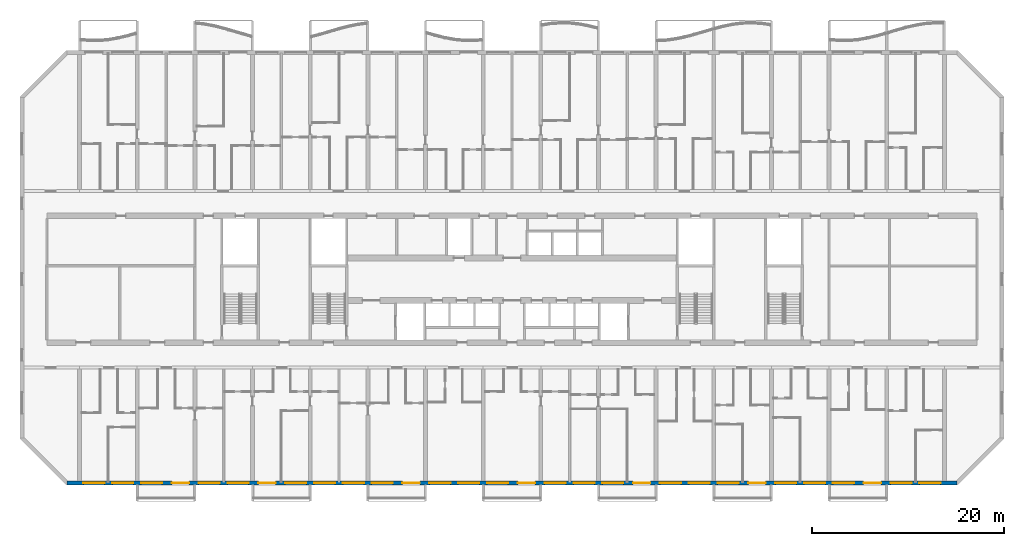
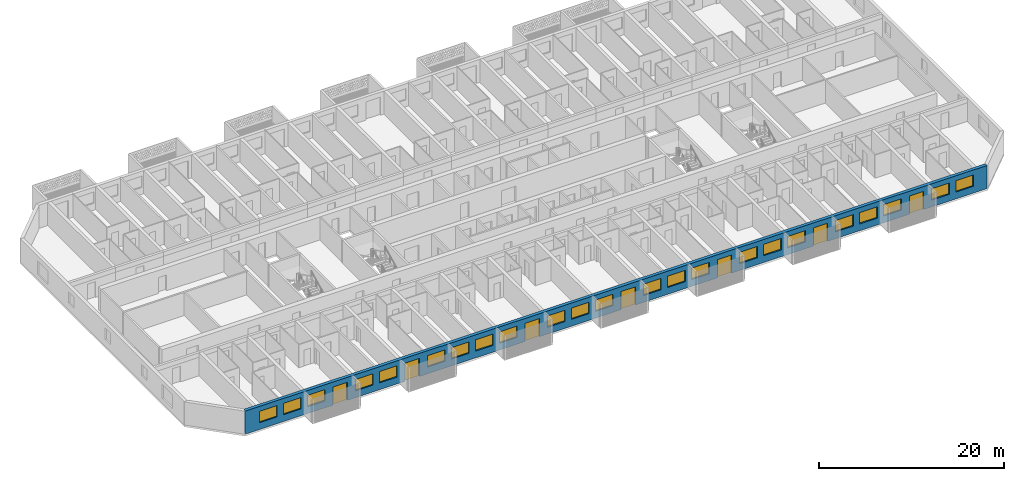
# One storey, part 5 of 38: 23 windows, 7 doors, 1 wall, 30 openings.
"""IFC4 building model written with IfcOpenShell, lengths in metres."""

from ifc_helpers import new_model, si_unit, direction, frame, frame_2d, origin, place, context, subcontext, project, spatial, rectangle, extrude, material, layer, layer_set, type_object, element, fill, save


model = new_model("IFC4")

# Units and contexts
model_context = context("Model", 3, precision=1e-05, world=origin(), true_north=direction((0.0, 1.0)))
body_context = subcontext(model_context, "Body", "Model", "MODEL_VIEW")
ifc_project = project(units=[si_unit("LENGTHUNIT", "METRE"), si_unit("AREAUNIT", "SQUARE_METRE"), si_unit("VOLUMEUNIT", "CUBIC_METRE"), si_unit("PLANEANGLEUNIT", "RADIAN"), si_unit("MASSUNIT", "GRAM", prefix="KILO")], contexts=[model_context])

# Site, building, storey
site_placement = place(None, origin())
site = spatial("IfcSite", under=ifc_project, at=site_placement, CompositionType="ELEMENT")
building_placement = place(site_placement, origin())
building = spatial("IfcBuilding", under=site, at=building_placement, Name="Poui Terraces", CompositionType="ELEMENT")
storey_placement = place(building_placement, frame((0.0, 0.0, 46.5)))
storey = spatial("IfcBuildingStorey", under=building, at=storey_placement, Name="L12", CompositionType="ELEMENT", Elevation=46.5)

# Wall, openings, doors, windows
ifc_material_1 = material(Name="Precast concrete 40 MPa", Category="concrete")
ifc_layer = layer(ifc_material_1, 0.39990234375)
ifc_layer_set = layer_set([ifc_layer], Name="Precast concrete 40 MPa")
wall_type = type_object("IfcWallType", Name="EXTERNAL WALL 400", PredefinedType="STANDARD", material=ifc_layer_set)
wall_placement = place(storey_placement, frame((4.682861328125, 0.0, 0.0), z_axis=(0.0, 0.0, 1.0), x_axis=(1.0, 0.0, 0.0)))
wall = element("IfcWall", 1, at=wall_placement, inside=storey, type_object=wall_type, Name="EXTERNAL WALL S", PredefinedType="STANDARD", context=body_context, shape_type="SweptSolid", body=[
    extrude(rectangle(XDim=92.63427734375, YDim=0.39990234375, at=frame_2d((46.317138671875, 0.0))), origin(), (0.0, 0.0, 1.0), 3.050048828125),
])
opening_1_placement = place(wall_placement, frame((1.71728515625, 0.0, 0.89990234375)))
opening_1 = element("IfcOpeningElement", 2, at=opening_1_placement, cuts=wall, Name="Opening W1", PredefinedType="OPENING", context=body_context, shape_type="SweptSolid", body=[
    extrude(rectangle(XDim=2.199951171875, YDim=1.5, at=frame_2d((1.10009765625, 0.75))), frame((0.0, 0.2099609375, 0.0), z_axis=(0.0, -1.0, 0.0), x_axis=(1.0, 0.0, 0.0)), (0.0, 0.0, 1.0), 0.419921875),
])
opening_2_placement = place(wall_placement, frame((4.71728515625, 0.0, 0.89990234375)))
opening_2 = element("IfcOpeningElement", 3, at=opening_2_placement, cuts=wall, Name="Opening W1", PredefinedType="OPENING", context=body_context, shape_type="SweptSolid", body=[
    extrude(rectangle(XDim=2.199951171875, YDim=1.5, at=frame_2d((1.10009765625, 0.75))), frame((0.0, 0.2099609375, 0.0), z_axis=(0.0, -1.0, 0.0), x_axis=(1.0, 0.0, 0.0)), (0.0, 0.0, 1.0), 0.419921875),
])
opening_3_placement = place(wall_placement, frame((7.71728515625, 0.0, 0.89990234375)))
opening_3 = element("IfcOpeningElement", 4, at=opening_3_placement, cuts=wall, Name="Opening W1", PredefinedType="OPENING", context=body_context, shape_type="SweptSolid", body=[
    extrude(rectangle(XDim=2.199951171875, YDim=1.5, at=frame_2d((1.10009765625, 0.75))), frame((0.0, 0.2099609375, 0.0), z_axis=(0.0, -1.0, 0.0), x_axis=(1.0, 0.0, 0.0)), (0.0, 0.0, 1.0), 0.419921875),
])
opening_4_placement = place(wall_placement, frame((10.917236328125, 0.0, 0.0)))
opening_4 = element("IfcOpeningElement", 5, at=opening_4_placement, cuts=wall, Name="Opening BD1", PredefinedType="OPENING", context=body_context, shape_type="SweptSolid", body=[
    extrude(rectangle(XDim=1.800048828125, YDim=2.39990234375, at=frame_2d((0.89990234375, 1.199951171875))), frame((0.0, 0.2099609375, 0.0), z_axis=(0.0, -1.0, 0.0), x_axis=(1.0, 0.0, 0.0)), (0.0, 0.0, 1.0), 0.419921875),
])
opening_5_placement = place(wall_placement, frame((13.71728515625, 0.0, 0.89990234375)))
opening_5 = element("IfcOpeningElement", 6, at=opening_5_placement, cuts=wall, Name="Opening W1", PredefinedType="OPENING", context=body_context, shape_type="SweptSolid", body=[
    extrude(rectangle(XDim=2.199951171875, YDim=1.5, at=frame_2d((1.10009765625, 0.75))), frame((0.0, 0.2099609375, 0.0), z_axis=(0.0, -1.0, 0.0), x_axis=(1.0, 0.0, 0.0)), (0.0, 0.0, 1.0), 0.419921875),
])
opening_6_placement = place(wall_placement, frame((16.71728515625, 0.0, 0.89990234375)))
opening_6 = element("IfcOpeningElement", 7, at=opening_6_placement, cuts=wall, Name="Opening W1", PredefinedType="OPENING", context=body_context, shape_type="SweptSolid", body=[
    extrude(rectangle(XDim=2.199951171875, YDim=1.5, at=frame_2d((1.10009765625, 0.75))), frame((0.0, 0.2099609375, 0.0), z_axis=(0.0, -1.0, 0.0), x_axis=(1.0, 0.0, 0.0)), (0.0, 0.0, 1.0), 0.419921875),
])
opening_7_placement = place(wall_placement, frame((19.917236328125, 0.0, 0.0)))
opening_7 = element("IfcOpeningElement", 8, at=opening_7_placement, cuts=wall, Name="Opening BD1", PredefinedType="OPENING", context=body_context, shape_type="SweptSolid", body=[
    extrude(rectangle(XDim=1.800048828125, YDim=2.39990234375, at=frame_2d((0.89990234375, 1.199951171875))), frame((0.0, 0.2099609375, 0.0), z_axis=(0.0, -1.0, 0.0), x_axis=(1.0, 0.0, 0.0)), (0.0, 0.0, 1.0), 0.419921875),
])
opening_8_placement = place(wall_placement, frame((22.71728515625, 0.0, 0.89990234375)))
opening_8 = element("IfcOpeningElement", 9, at=opening_8_placement, cuts=wall, Name="Opening W1", PredefinedType="OPENING", context=body_context, shape_type="SweptSolid", body=[
    extrude(rectangle(XDim=2.199951171875, YDim=1.5, at=frame_2d((1.10009765625, 0.75))), frame((0.0, 0.2099609375, 0.0), z_axis=(0.0, -1.0, 0.0), x_axis=(1.0, 0.0, 0.0)), (0.0, 0.0, 1.0), 0.419921875),
])
opening_9_placement = place(wall_placement, frame((25.71728515625, 0.0, 0.89990234375)))
opening_9 = element("IfcOpeningElement", 10, at=opening_9_placement, cuts=wall, Name="Opening W1", PredefinedType="OPENING", context=body_context, shape_type="SweptSolid", body=[
    extrude(rectangle(XDim=2.199951171875, YDim=1.5, at=frame_2d((1.10009765625, 0.75))), frame((0.0, 0.2099609375, 0.0), z_axis=(0.0, -1.0, 0.0), x_axis=(1.0, 0.0, 0.0)), (0.0, 0.0, 1.0), 0.419921875),
])
opening_10_placement = place(wall_placement, frame((28.71728515625, 0.0, 0.89990234375)))
opening_10 = element("IfcOpeningElement", 11, at=opening_10_placement, cuts=wall, Name="Opening W1", PredefinedType="OPENING", context=body_context, shape_type="SweptSolid", body=[
    extrude(rectangle(XDim=2.199951171875, YDim=1.5, at=frame_2d((1.10009765625, 0.75))), frame((0.0, 0.2099609375, 0.0), z_axis=(0.0, -1.0, 0.0), x_axis=(1.0, 0.0, 0.0)), (0.0, 0.0, 1.0), 0.419921875),
])
opening_11_placement = place(wall_placement, frame((31.71728515625, 0.0, 0.89990234375)))
opening_11 = element("IfcOpeningElement", 12, at=opening_11_placement, cuts=wall, Name="Opening W1", PredefinedType="OPENING", context=body_context, shape_type="SweptSolid", body=[
    extrude(rectangle(XDim=2.199951171875, YDim=1.5, at=frame_2d((1.10009765625, 0.75))), frame((0.0, 0.2099609375, 0.0), z_axis=(0.0, -1.0, 0.0), x_axis=(1.0, 0.0, 0.0)), (0.0, 0.0, 1.0), 0.419921875),
])
opening_12_placement = place(wall_placement, frame((34.917236328125, 0.0, 0.0)))
opening_12 = element("IfcOpeningElement", 13, at=opening_12_placement, cuts=wall, Name="Opening BD1", PredefinedType="OPENING", context=body_context, shape_type="SweptSolid", body=[
    extrude(rectangle(XDim=1.800048828125, YDim=2.39990234375, at=frame_2d((0.89990234375, 1.199951171875))), frame((0.0, 0.2099609375, 0.0), z_axis=(0.0, -1.0, 0.0), x_axis=(1.0, 0.0, 0.0)), (0.0, 0.0, 1.0), 0.419921875),
])
opening_13_placement = place(wall_placement, frame((37.71728515625, 0.0, 0.89990234375)))
opening_13 = element("IfcOpeningElement", 14, at=opening_13_placement, cuts=wall, Name="Opening W1", PredefinedType="OPENING", context=body_context, shape_type="SweptSolid", body=[
    extrude(rectangle(XDim=2.199951171875, YDim=1.5, at=frame_2d((1.10009765625, 0.75))), frame((0.0, 0.2099609375, 0.0), z_axis=(0.0, -1.0, 0.0), x_axis=(1.0, 0.0, 0.0)), (0.0, 0.0, 1.0), 0.419921875),
])
opening_14_placement = place(wall_placement, frame((40.71728515625, 0.0, 0.89990234375)))
opening_14 = element("IfcOpeningElement", 15, at=opening_14_placement, cuts=wall, Name="Opening W1", PredefinedType="OPENING", context=body_context, shape_type="SweptSolid", body=[
    extrude(rectangle(XDim=2.199951171875, YDim=1.5, at=frame_2d((1.10009765625, 0.75))), frame((0.0, 0.2099609375, 0.0), z_axis=(0.0, -1.0, 0.0), x_axis=(1.0, 0.0, 0.0)), (0.0, 0.0, 1.0), 0.419921875),
])
opening_15_placement = place(wall_placement, frame((43.71728515625, 0.0, 0.89990234375)))
opening_15 = element("IfcOpeningElement", 16, at=opening_15_placement, cuts=wall, Name="Opening W1", PredefinedType="OPENING", context=body_context, shape_type="SweptSolid", body=[
    extrude(rectangle(XDim=2.199951171875, YDim=1.5, at=frame_2d((1.10009765625, 0.75))), frame((0.0, 0.2099609375, 0.0), z_axis=(0.0, -1.0, 0.0), x_axis=(1.0, 0.0, 0.0)), (0.0, 0.0, 1.0), 0.419921875),
])
opening_16_placement = place(wall_placement, frame((46.917236328125, 0.0, 0.0)))
opening_16 = element("IfcOpeningElement", 17, at=opening_16_placement, cuts=wall, Name="Opening BD1", PredefinedType="OPENING", context=body_context, shape_type="SweptSolid", body=[
    extrude(rectangle(XDim=1.800048828125, YDim=2.39990234375, at=frame_2d((0.89990234375, 1.199951171875))), frame((0.0, 0.2099609375, 0.0), z_axis=(0.0, -1.0, 0.0), x_axis=(1.0, 0.0, 0.0)), (0.0, 0.0, 1.0), 0.419921875),
])
opening_17_placement = place(wall_placement, frame((49.71728515625, 0.0, 0.89990234375)))
opening_17 = element("IfcOpeningElement", 18, at=opening_17_placement, cuts=wall, Name="Opening W1", PredefinedType="OPENING", context=body_context, shape_type="SweptSolid", body=[
    extrude(rectangle(XDim=2.199951171875, YDim=1.5, at=frame_2d((1.10009765625, 0.75))), frame((0.0, 0.2099609375, 0.0), z_axis=(0.0, -1.0, 0.0), x_axis=(1.0, 0.0, 0.0)), (0.0, 0.0, 1.0), 0.419921875),
])
opening_18_placement = place(wall_placement, frame((52.71728515625, 0.0, 0.89990234375)))
opening_18 = element("IfcOpeningElement", 19, at=opening_18_placement, cuts=wall, Name="Opening W1", PredefinedType="OPENING", context=body_context, shape_type="SweptSolid", body=[
    extrude(rectangle(XDim=2.199951171875, YDim=1.5, at=frame_2d((1.10009765625, 0.75))), frame((0.0, 0.2099609375, 0.0), z_axis=(0.0, -1.0, 0.0), x_axis=(1.0, 0.0, 0.0)), (0.0, 0.0, 1.0), 0.419921875),
])
opening_19_placement = place(wall_placement, frame((55.71728515625, 0.0, 0.89990234375)))
opening_19 = element("IfcOpeningElement", 20, at=opening_19_placement, cuts=wall, Name="Opening W1", PredefinedType="OPENING", context=body_context, shape_type="SweptSolid", body=[
    extrude(rectangle(XDim=2.199951171875, YDim=1.5, at=frame_2d((1.10009765625, 0.75))), frame((0.0, 0.2099609375, 0.0), z_axis=(0.0, -1.0, 0.0), x_axis=(1.0, 0.0, 0.0)), (0.0, 0.0, 1.0), 0.419921875),
])
opening_20_placement = place(wall_placement, frame((58.917236328125, 0.0, 0.0)))
opening_20 = element("IfcOpeningElement", 21, at=opening_20_placement, cuts=wall, Name="Opening BD1", PredefinedType="OPENING", context=body_context, shape_type="SweptSolid", body=[
    extrude(rectangle(XDim=1.800048828125, YDim=2.39990234375, at=frame_2d((0.89990234375, 1.199951171875))), frame((0.0, 0.2099609375, 0.0), z_axis=(0.0, -1.0, 0.0), x_axis=(1.0, 0.0, 0.0)), (0.0, 0.0, 1.0), 0.419921875),
])
opening_21_placement = place(wall_placement, frame((61.71728515625, 0.0, 0.89990234375)))
opening_21 = element("IfcOpeningElement", 22, at=opening_21_placement, cuts=wall, Name="Opening W1", PredefinedType="OPENING", context=body_context, shape_type="SweptSolid", body=[
    extrude(rectangle(XDim=2.199951171875, YDim=1.5, at=frame_2d((1.10009765625, 0.75))), frame((0.0, 0.2099609375, 0.0), z_axis=(0.0, -1.0, 0.0), x_axis=(1.0, 0.0, 0.0)), (0.0, 0.0, 1.0), 0.419921875),
])
opening_22_placement = place(wall_placement, frame((64.71728515625, 0.0, 0.89990234375)))
opening_22 = element("IfcOpeningElement", 23, at=opening_22_placement, cuts=wall, Name="Opening W1", PredefinedType="OPENING", context=body_context, shape_type="SweptSolid", body=[
    extrude(rectangle(XDim=2.199951171875, YDim=1.5, at=frame_2d((1.10009765625, 0.75))), frame((0.0, 0.2099609375, 0.0), z_axis=(0.0, -1.0, 0.0), x_axis=(1.0, 0.0, 0.0)), (0.0, 0.0, 1.0), 0.419921875),
])
opening_23_placement = place(wall_placement, frame((67.71728515625, 0.0, 0.89990234375)))
opening_23 = element("IfcOpeningElement", 24, at=opening_23_placement, cuts=wall, Name="Opening W1", PredefinedType="OPENING", context=body_context, shape_type="SweptSolid", body=[
    extrude(rectangle(XDim=2.199951171875, YDim=1.5, at=frame_2d((1.10009765625, 0.75))), frame((0.0, 0.2099609375, 0.0), z_axis=(0.0, -1.0, 0.0), x_axis=(1.0, 0.0, 0.0)), (0.0, 0.0, 1.0), 0.419921875),
])
opening_24_placement = place(wall_placement, frame((70.917236328125, 0.0, 0.0)))
opening_24 = element("IfcOpeningElement", 25, at=opening_24_placement, cuts=wall, Name="Opening BD1", PredefinedType="OPENING", context=body_context, shape_type="SweptSolid", body=[
    extrude(rectangle(XDim=1.800048828125, YDim=2.39990234375, at=frame_2d((0.89990234375, 1.199951171875))), frame((0.0, 0.2099609375, 0.0), z_axis=(0.0, -1.0, 0.0), x_axis=(1.0, 0.0, 0.0)), (0.0, 0.0, 1.0), 0.419921875),
])
opening_25_placement = place(wall_placement, frame((73.71728515625, 0.0, 0.89990234375)))
opening_25 = element("IfcOpeningElement", 26, at=opening_25_placement, cuts=wall, Name="Opening W1", PredefinedType="OPENING", context=body_context, shape_type="SweptSolid", body=[
    extrude(rectangle(XDim=2.199951171875, YDim=1.5, at=frame_2d((1.10009765625, 0.75))), frame((0.0, 0.2099609375, 0.0), z_axis=(0.0, -1.0, 0.0), x_axis=(1.0, 0.0, 0.0)), (0.0, 0.0, 1.0), 0.419921875),
])
opening_26_placement = place(wall_placement, frame((76.71728515625, 0.0, 0.89990234375)))
opening_26 = element("IfcOpeningElement", 27, at=opening_26_placement, cuts=wall, Name="Opening W1", PredefinedType="OPENING", context=body_context, shape_type="SweptSolid", body=[
    extrude(rectangle(XDim=2.199951171875, YDim=1.5, at=frame_2d((1.10009765625, 0.75))), frame((0.0, 0.2099609375, 0.0), z_axis=(0.0, -1.0, 0.0), x_axis=(1.0, 0.0, 0.0)), (0.0, 0.0, 1.0), 0.419921875),
])
opening_27_placement = place(wall_placement, frame((79.71728515625, 0.0, 0.89990234375)))
opening_27 = element("IfcOpeningElement", 28, at=opening_27_placement, cuts=wall, Name="Opening W1", PredefinedType="OPENING", context=body_context, shape_type="SweptSolid", body=[
    extrude(rectangle(XDim=2.199951171875, YDim=1.5, at=frame_2d((1.10009765625, 0.75))), frame((0.0, 0.2099609375, 0.0), z_axis=(0.0, -1.0, 0.0), x_axis=(1.0, 0.0, 0.0)), (0.0, 0.0, 1.0), 0.419921875),
])
opening_28_placement = place(wall_placement, frame((82.917236328125, 0.0, 0.0)))
opening_28 = element("IfcOpeningElement", 29, at=opening_28_placement, cuts=wall, Name="Opening BD1", PredefinedType="OPENING", context=body_context, shape_type="SweptSolid", body=[
    extrude(rectangle(XDim=1.800048828125, YDim=2.39990234375, at=frame_2d((0.89990234375, 1.199951171875))), frame((0.0, 0.2099609375, 0.0), z_axis=(0.0, -1.0, 0.0), x_axis=(1.0, 0.0, 0.0)), (0.0, 0.0, 1.0), 0.419921875),
])
opening_29_placement = place(wall_placement, frame((85.71728515625, 0.0, 0.89990234375)))
opening_29 = element("IfcOpeningElement", 30, at=opening_29_placement, cuts=wall, Name="Opening W1", PredefinedType="OPENING", context=body_context, shape_type="SweptSolid", body=[
    extrude(rectangle(XDim=2.199951171875, YDim=1.5, at=frame_2d((1.10009765625, 0.75))), frame((0.0, 0.2099609375, 0.0), z_axis=(0.0, -1.0, 0.0), x_axis=(1.0, 0.0, 0.0)), (0.0, 0.0, 1.0), 0.419921875),
])
opening_30_placement = place(wall_placement, frame((88.71728515625, 0.0, 0.89990234375)))
opening_30 = element("IfcOpeningElement", 31, at=opening_30_placement, cuts=wall, Name="Opening W1", PredefinedType="OPENING", context=body_context, shape_type="SweptSolid", body=[
    extrude(rectangle(XDim=2.199951171875, YDim=1.5, at=frame_2d((1.10009765625, 0.75))), frame((0.0, 0.2099609375, 0.0), z_axis=(0.0, -1.0, 0.0), x_axis=(1.0, 0.0, 0.0)), (0.0, 0.0, 1.0), 0.419921875),
])
ifc_material_2 = material(Name="Clear glass in aluminium frame", Category="aluminium")
door_type = type_object("IfcDoorType", Name="BALCONY DOOR 1800X2400", OperationType="DOUBLE_DOOR_SLIDING", PredefinedType="DOOR", material=ifc_material_2)
door_1_placement = place(opening_4_placement, origin())
door_1 = element("IfcDoor", 32, at=door_1_placement, inside=storey, type_object=door_type, Name="BD1 BALCONY DOOR", OperationType="DOUBLE_DOOR_SLIDING", OverallHeight=2.39990234375, OverallWidth=1.800048828125, PredefinedType="DOOR", context=body_context, shape_type="SweptSolid", body=[
    extrude(rectangle(XDim=1.800048828125, YDim=2.39990234375, at=frame_2d((0.89990234375, 1.199951171875))), frame((0.0, 0.02490234375, 0.0), z_axis=(0.0, -1.0, 0.0), x_axis=(1.0, 0.0, 0.0)), (0.0, 0.0, 1.0), 0.050048828125),
])
fill(opening_4, door_1)
door_2_placement = place(opening_7_placement, origin())
door_2 = element("IfcDoor", 33, at=door_2_placement, inside=storey, type_object=door_type, Name="BD1 BALCONY DOOR", OperationType="DOUBLE_DOOR_SLIDING", OverallHeight=2.39990234375, OverallWidth=1.800048828125, PredefinedType="DOOR", context=body_context, shape_type="SweptSolid", body=[
    extrude(rectangle(XDim=1.800048828125, YDim=2.39990234375, at=frame_2d((0.89990234375, 1.199951171875))), frame((0.0, 0.02490234375, 0.0), z_axis=(0.0, -1.0, 0.0), x_axis=(1.0, 0.0, 0.0)), (0.0, 0.0, 1.0), 0.050048828125),
])
fill(opening_7, door_2)
door_3_placement = place(opening_12_placement, origin())
door_3 = element("IfcDoor", 34, at=door_3_placement, inside=storey, type_object=door_type, Name="BD1 BALCONY DOOR", OperationType="DOUBLE_DOOR_SLIDING", OverallHeight=2.39990234375, OverallWidth=1.800048828125, PredefinedType="DOOR", context=body_context, shape_type="SweptSolid", body=[
    extrude(rectangle(XDim=1.800048828125, YDim=2.39990234375, at=frame_2d((0.89990234375, 1.199951171875))), frame((0.0, 0.02490234375, 0.0), z_axis=(0.0, -1.0, 0.0), x_axis=(1.0, 0.0, 0.0)), (0.0, 0.0, 1.0), 0.050048828125),
])
fill(opening_12, door_3)
door_4_placement = place(opening_16_placement, origin())
door_4 = element("IfcDoor", 35, at=door_4_placement, inside=storey, type_object=door_type, Name="BD1 BALCONY DOOR", OperationType="DOUBLE_DOOR_SLIDING", OverallHeight=2.39990234375, OverallWidth=1.800048828125, PredefinedType="DOOR", context=body_context, shape_type="SweptSolid", body=[
    extrude(rectangle(XDim=1.800048828125, YDim=2.39990234375, at=frame_2d((0.89990234375, 1.199951171875))), frame((0.0, 0.02490234375, 0.0), z_axis=(0.0, -1.0, 0.0), x_axis=(1.0, 0.0, 0.0)), (0.0, 0.0, 1.0), 0.050048828125),
])
fill(opening_16, door_4)
door_5_placement = place(opening_20_placement, origin())
door_5 = element("IfcDoor", 36, at=door_5_placement, inside=storey, type_object=door_type, Name="BD1 BALCONY DOOR", OperationType="DOUBLE_DOOR_SLIDING", OverallHeight=2.39990234375, OverallWidth=1.800048828125, PredefinedType="DOOR", context=body_context, shape_type="SweptSolid", body=[
    extrude(rectangle(XDim=1.800048828125, YDim=2.39990234375, at=frame_2d((0.89990234375, 1.199951171875))), frame((0.0, 0.02490234375, 0.0), z_axis=(0.0, -1.0, 0.0), x_axis=(1.0, 0.0, 0.0)), (0.0, 0.0, 1.0), 0.050048828125),
])
fill(opening_20, door_5)
door_6_placement = place(opening_24_placement, origin())
door_6 = element("IfcDoor", 37, at=door_6_placement, inside=storey, type_object=door_type, Name="BD1 BALCONY DOOR", OperationType="DOUBLE_DOOR_SLIDING", OverallHeight=2.39990234375, OverallWidth=1.800048828125, PredefinedType="DOOR", context=body_context, shape_type="SweptSolid", body=[
    extrude(rectangle(XDim=1.800048828125, YDim=2.39990234375, at=frame_2d((0.89990234375, 1.199951171875))), frame((0.0, 0.02490234375, 0.0), z_axis=(0.0, -1.0, 0.0), x_axis=(1.0, 0.0, 0.0)), (0.0, 0.0, 1.0), 0.050048828125),
])
fill(opening_24, door_6)
door_7_placement = place(opening_28_placement, origin())
door_7 = element("IfcDoor", 38, at=door_7_placement, inside=storey, type_object=door_type, Name="BD1 BALCONY DOOR", OperationType="DOUBLE_DOOR_SLIDING", OverallHeight=2.39990234375, OverallWidth=1.800048828125, PredefinedType="DOOR", context=body_context, shape_type="SweptSolid", body=[
    extrude(rectangle(XDim=1.800048828125, YDim=2.39990234375, at=frame_2d((0.89990234375, 1.199951171875))), frame((0.0, 0.02490234375, 0.0), z_axis=(0.0, -1.0, 0.0), x_axis=(1.0, 0.0, 0.0)), (0.0, 0.0, 1.0), 0.050048828125),
])
fill(opening_28, door_7)
window_type = type_object("IfcWindowType", Name="WINDOW 2200X1500", PartitioningType="DOUBLE_PANEL_HORIZONTAL", PredefinedType="WINDOW", material=ifc_material_2)
window_1_placement = place(opening_1_placement, origin())
window_1 = element("IfcWindow", 39, at=window_1_placement, inside=storey, type_object=window_type, Name="W1 WINDOW", OverallHeight=1.5, OverallWidth=2.199951171875, PartitioningType="DOUBLE_PANEL_HORIZONTAL", PredefinedType="WINDOW", context=body_context, shape_type="SweptSolid", body=[
    extrude(rectangle(XDim=2.199951171875, YDim=1.5, at=frame_2d((1.10009765625, 0.75))), frame((0.0, 0.030029296875, 0.0), z_axis=(0.0, -1.0, 0.0), x_axis=(1.0, 0.0, 0.0)), (0.0, 0.0, 1.0), 0.06005859375),
])
fill(opening_1, window_1)
window_2_placement = place(opening_2_placement, origin())
window_2 = element("IfcWindow", 40, at=window_2_placement, inside=storey, type_object=window_type, Name="W1 WINDOW", OverallHeight=1.5, OverallWidth=2.199951171875, PartitioningType="DOUBLE_PANEL_HORIZONTAL", PredefinedType="WINDOW", context=body_context, shape_type="SweptSolid", body=[
    extrude(rectangle(XDim=2.199951171875, YDim=1.5, at=frame_2d((1.10009765625, 0.75))), frame((0.0, 0.030029296875, 0.0), z_axis=(0.0, -1.0, 0.0), x_axis=(1.0, 0.0, 0.0)), (0.0, 0.0, 1.0), 0.06005859375),
])
fill(opening_2, window_2)
window_3_placement = place(opening_3_placement, origin())
window_3 = element("IfcWindow", 41, at=window_3_placement, inside=storey, type_object=window_type, Name="W1 WINDOW", OverallHeight=1.5, OverallWidth=2.199951171875, PartitioningType="DOUBLE_PANEL_HORIZONTAL", PredefinedType="WINDOW", context=body_context, shape_type="SweptSolid", body=[
    extrude(rectangle(XDim=2.199951171875, YDim=1.5, at=frame_2d((1.10009765625, 0.75))), frame((0.0, 0.030029296875, 0.0), z_axis=(0.0, -1.0, 0.0), x_axis=(1.0, 0.0, 0.0)), (0.0, 0.0, 1.0), 0.06005859375),
])
fill(opening_3, window_3)
window_4_placement = place(opening_5_placement, origin())
window_4 = element("IfcWindow", 42, at=window_4_placement, inside=storey, type_object=window_type, Name="W1 WINDOW", OverallHeight=1.5, OverallWidth=2.199951171875, PartitioningType="DOUBLE_PANEL_HORIZONTAL", PredefinedType="WINDOW", context=body_context, shape_type="SweptSolid", body=[
    extrude(rectangle(XDim=2.199951171875, YDim=1.5, at=frame_2d((1.10009765625, 0.75))), frame((0.0, 0.030029296875, 0.0), z_axis=(0.0, -1.0, 0.0), x_axis=(1.0, 0.0, 0.0)), (0.0, 0.0, 1.0), 0.06005859375),
])
fill(opening_5, window_4)
window_5_placement = place(opening_6_placement, origin())
window_5 = element("IfcWindow", 43, at=window_5_placement, inside=storey, type_object=window_type, Name="W1 WINDOW", OverallHeight=1.5, OverallWidth=2.199951171875, PartitioningType="DOUBLE_PANEL_HORIZONTAL", PredefinedType="WINDOW", context=body_context, shape_type="SweptSolid", body=[
    extrude(rectangle(XDim=2.199951171875, YDim=1.5, at=frame_2d((1.10009765625, 0.75))), frame((0.0, 0.030029296875, 0.0), z_axis=(0.0, -1.0, 0.0), x_axis=(1.0, 0.0, 0.0)), (0.0, 0.0, 1.0), 0.06005859375),
])
fill(opening_6, window_5)
window_6_placement = place(opening_8_placement, origin())
window_6 = element("IfcWindow", 44, at=window_6_placement, inside=storey, type_object=window_type, Name="W1 WINDOW", OverallHeight=1.5, OverallWidth=2.199951171875, PartitioningType="DOUBLE_PANEL_HORIZONTAL", PredefinedType="WINDOW", context=body_context, shape_type="SweptSolid", body=[
    extrude(rectangle(XDim=2.199951171875, YDim=1.5, at=frame_2d((1.10009765625, 0.75))), frame((0.0, 0.030029296875, 0.0), z_axis=(0.0, -1.0, 0.0), x_axis=(1.0, 0.0, 0.0)), (0.0, 0.0, 1.0), 0.06005859375),
])
fill(opening_8, window_6)
window_7_placement = place(opening_9_placement, origin())
window_7 = element("IfcWindow", 45, at=window_7_placement, inside=storey, type_object=window_type, Name="W1 WINDOW", OverallHeight=1.5, OverallWidth=2.199951171875, PartitioningType="DOUBLE_PANEL_HORIZONTAL", PredefinedType="WINDOW", context=body_context, shape_type="SweptSolid", body=[
    extrude(rectangle(XDim=2.199951171875, YDim=1.5, at=frame_2d((1.10009765625, 0.75))), frame((0.0, 0.030029296875, 0.0), z_axis=(0.0, -1.0, 0.0), x_axis=(1.0, 0.0, 0.0)), (0.0, 0.0, 1.0), 0.06005859375),
])
fill(opening_9, window_7)
window_8_placement = place(opening_10_placement, origin())
window_8 = element("IfcWindow", 46, at=window_8_placement, inside=storey, type_object=window_type, Name="W1 WINDOW", OverallHeight=1.5, OverallWidth=2.199951171875, PartitioningType="DOUBLE_PANEL_HORIZONTAL", PredefinedType="WINDOW", context=body_context, shape_type="SweptSolid", body=[
    extrude(rectangle(XDim=2.199951171875, YDim=1.5, at=frame_2d((1.10009765625, 0.75))), frame((0.0, 0.030029296875, 0.0), z_axis=(0.0, -1.0, 0.0), x_axis=(1.0, 0.0, 0.0)), (0.0, 0.0, 1.0), 0.06005859375),
])
fill(opening_10, window_8)
window_9_placement = place(opening_11_placement, origin())
window_9 = element("IfcWindow", 47, at=window_9_placement, inside=storey, type_object=window_type, Name="W1 WINDOW", OverallHeight=1.5, OverallWidth=2.199951171875, PartitioningType="DOUBLE_PANEL_HORIZONTAL", PredefinedType="WINDOW", context=body_context, shape_type="SweptSolid", body=[
    extrude(rectangle(XDim=2.199951171875, YDim=1.5, at=frame_2d((1.10009765625, 0.75))), frame((0.0, 0.030029296875, 0.0), z_axis=(0.0, -1.0, 0.0), x_axis=(1.0, 0.0, 0.0)), (0.0, 0.0, 1.0), 0.06005859375),
])
fill(opening_11, window_9)
window_10_placement = place(opening_13_placement, origin())
window_10 = element("IfcWindow", 48, at=window_10_placement, inside=storey, type_object=window_type, Name="W1 WINDOW", OverallHeight=1.5, OverallWidth=2.199951171875, PartitioningType="DOUBLE_PANEL_HORIZONTAL", PredefinedType="WINDOW", context=body_context, shape_type="SweptSolid", body=[
    extrude(rectangle(XDim=2.199951171875, YDim=1.5, at=frame_2d((1.10009765625, 0.75))), frame((0.0, 0.030029296875, 0.0), z_axis=(0.0, -1.0, 0.0), x_axis=(1.0, 0.0, 0.0)), (0.0, 0.0, 1.0), 0.06005859375),
])
fill(opening_13, window_10)
window_11_placement = place(opening_14_placement, origin())
window_11 = element("IfcWindow", 49, at=window_11_placement, inside=storey, type_object=window_type, Name="W1 WINDOW", OverallHeight=1.5, OverallWidth=2.199951171875, PartitioningType="DOUBLE_PANEL_HORIZONTAL", PredefinedType="WINDOW", context=body_context, shape_type="SweptSolid", body=[
    extrude(rectangle(XDim=2.199951171875, YDim=1.5, at=frame_2d((1.10009765625, 0.75))), frame((0.0, 0.030029296875, 0.0), z_axis=(0.0, -1.0, 0.0), x_axis=(1.0, 0.0, 0.0)), (0.0, 0.0, 1.0), 0.06005859375),
])
fill(opening_14, window_11)
window_12_placement = place(opening_15_placement, origin())
window_12 = element("IfcWindow", 50, at=window_12_placement, inside=storey, type_object=window_type, Name="W1 WINDOW", OverallHeight=1.5, OverallWidth=2.199951171875, PartitioningType="DOUBLE_PANEL_HORIZONTAL", PredefinedType="WINDOW", context=body_context, shape_type="SweptSolid", body=[
    extrude(rectangle(XDim=2.199951171875, YDim=1.5, at=frame_2d((1.10009765625, 0.75))), frame((0.0, 0.030029296875, 0.0), z_axis=(0.0, -1.0, 0.0), x_axis=(1.0, 0.0, 0.0)), (0.0, 0.0, 1.0), 0.06005859375),
])
fill(opening_15, window_12)
window_13_placement = place(opening_17_placement, origin())
window_13 = element("IfcWindow", 51, at=window_13_placement, inside=storey, type_object=window_type, Name="W1 WINDOW", OverallHeight=1.5, OverallWidth=2.199951171875, PartitioningType="DOUBLE_PANEL_HORIZONTAL", PredefinedType="WINDOW", context=body_context, shape_type="SweptSolid", body=[
    extrude(rectangle(XDim=2.199951171875, YDim=1.5, at=frame_2d((1.10009765625, 0.75))), frame((0.0, 0.030029296875, 0.0), z_axis=(0.0, -1.0, 0.0), x_axis=(1.0, 0.0, 0.0)), (0.0, 0.0, 1.0), 0.06005859375),
])
fill(opening_17, window_13)
window_14_placement = place(opening_18_placement, origin())
window_14 = element("IfcWindow", 52, at=window_14_placement, inside=storey, type_object=window_type, Name="W1 WINDOW", OverallHeight=1.5, OverallWidth=2.199951171875, PartitioningType="DOUBLE_PANEL_HORIZONTAL", PredefinedType="WINDOW", context=body_context, shape_type="SweptSolid", body=[
    extrude(rectangle(XDim=2.199951171875, YDim=1.5, at=frame_2d((1.10009765625, 0.75))), frame((0.0, 0.030029296875, 0.0), z_axis=(0.0, -1.0, 0.0), x_axis=(1.0, 0.0, 0.0)), (0.0, 0.0, 1.0), 0.06005859375),
])
fill(opening_18, window_14)
window_15_placement = place(opening_19_placement, origin())
window_15 = element("IfcWindow", 53, at=window_15_placement, inside=storey, type_object=window_type, Name="W1 WINDOW", OverallHeight=1.5, OverallWidth=2.199951171875, PartitioningType="DOUBLE_PANEL_HORIZONTAL", PredefinedType="WINDOW", context=body_context, shape_type="SweptSolid", body=[
    extrude(rectangle(XDim=2.199951171875, YDim=1.5, at=frame_2d((1.10009765625, 0.75))), frame((0.0, 0.030029296875, 0.0), z_axis=(0.0, -1.0, 0.0), x_axis=(1.0, 0.0, 0.0)), (0.0, 0.0, 1.0), 0.06005859375),
])
fill(opening_19, window_15)
window_16_placement = place(opening_21_placement, origin())
window_16 = element("IfcWindow", 54, at=window_16_placement, inside=storey, type_object=window_type, Name="W1 WINDOW", OverallHeight=1.5, OverallWidth=2.199951171875, PartitioningType="DOUBLE_PANEL_HORIZONTAL", PredefinedType="WINDOW", context=body_context, shape_type="SweptSolid", body=[
    extrude(rectangle(XDim=2.199951171875, YDim=1.5, at=frame_2d((1.10009765625, 0.75))), frame((0.0, 0.030029296875, 0.0), z_axis=(0.0, -1.0, 0.0), x_axis=(1.0, 0.0, 0.0)), (0.0, 0.0, 1.0), 0.06005859375),
])
fill(opening_21, window_16)
window_17_placement = place(opening_22_placement, origin())
window_17 = element("IfcWindow", 55, at=window_17_placement, inside=storey, type_object=window_type, Name="W1 WINDOW", OverallHeight=1.5, OverallWidth=2.199951171875, PartitioningType="DOUBLE_PANEL_HORIZONTAL", PredefinedType="WINDOW", context=body_context, shape_type="SweptSolid", body=[
    extrude(rectangle(XDim=2.199951171875, YDim=1.5, at=frame_2d((1.10009765625, 0.75))), frame((0.0, 0.030029296875, 0.0), z_axis=(0.0, -1.0, 0.0), x_axis=(1.0, 0.0, 0.0)), (0.0, 0.0, 1.0), 0.06005859375),
])
fill(opening_22, window_17)
window_18_placement = place(opening_23_placement, origin())
window_18 = element("IfcWindow", 56, at=window_18_placement, inside=storey, type_object=window_type, Name="W1 WINDOW", OverallHeight=1.5, OverallWidth=2.199951171875, PartitioningType="DOUBLE_PANEL_HORIZONTAL", PredefinedType="WINDOW", context=body_context, shape_type="SweptSolid", body=[
    extrude(rectangle(XDim=2.199951171875, YDim=1.5, at=frame_2d((1.10009765625, 0.75))), frame((0.0, 0.030029296875, 0.0), z_axis=(0.0, -1.0, 0.0), x_axis=(1.0, 0.0, 0.0)), (0.0, 0.0, 1.0), 0.06005859375),
])
fill(opening_23, window_18)
window_19_placement = place(opening_25_placement, origin())
window_19 = element("IfcWindow", 57, at=window_19_placement, inside=storey, type_object=window_type, Name="W1 WINDOW", OverallHeight=1.5, OverallWidth=2.199951171875, PartitioningType="DOUBLE_PANEL_HORIZONTAL", PredefinedType="WINDOW", context=body_context, shape_type="SweptSolid", body=[
    extrude(rectangle(XDim=2.199951171875, YDim=1.5, at=frame_2d((1.10009765625, 0.75))), frame((0.0, 0.030029296875, 0.0), z_axis=(0.0, -1.0, 0.0), x_axis=(1.0, 0.0, 0.0)), (0.0, 0.0, 1.0), 0.06005859375),
])
fill(opening_25, window_19)
window_20_placement = place(opening_26_placement, origin())
window_20 = element("IfcWindow", 58, at=window_20_placement, inside=storey, type_object=window_type, Name="W1 WINDOW", OverallHeight=1.5, OverallWidth=2.199951171875, PartitioningType="DOUBLE_PANEL_HORIZONTAL", PredefinedType="WINDOW", context=body_context, shape_type="SweptSolid", body=[
    extrude(rectangle(XDim=2.199951171875, YDim=1.5, at=frame_2d((1.10009765625, 0.75))), frame((0.0, 0.030029296875, 0.0), z_axis=(0.0, -1.0, 0.0), x_axis=(1.0, 0.0, 0.0)), (0.0, 0.0, 1.0), 0.06005859375),
])
fill(opening_26, window_20)
window_21_placement = place(opening_27_placement, origin())
window_21 = element("IfcWindow", 59, at=window_21_placement, inside=storey, type_object=window_type, Name="W1 WINDOW", OverallHeight=1.5, OverallWidth=2.199951171875, PartitioningType="DOUBLE_PANEL_HORIZONTAL", PredefinedType="WINDOW", context=body_context, shape_type="SweptSolid", body=[
    extrude(rectangle(XDim=2.199951171875, YDim=1.5, at=frame_2d((1.10009765625, 0.75))), frame((0.0, 0.030029296875, 0.0), z_axis=(0.0, -1.0, 0.0), x_axis=(1.0, 0.0, 0.0)), (0.0, 0.0, 1.0), 0.06005859375),
])
fill(opening_27, window_21)
window_22_placement = place(opening_29_placement, origin())
window_22 = element("IfcWindow", 60, at=window_22_placement, inside=storey, type_object=window_type, Name="W1 WINDOW", OverallHeight=1.5, OverallWidth=2.199951171875, PartitioningType="DOUBLE_PANEL_HORIZONTAL", PredefinedType="WINDOW", context=body_context, shape_type="SweptSolid", body=[
    extrude(rectangle(XDim=2.199951171875, YDim=1.5, at=frame_2d((1.10009765625, 0.75))), frame((0.0, 0.030029296875, 0.0), z_axis=(0.0, -1.0, 0.0), x_axis=(1.0, 0.0, 0.0)), (0.0, 0.0, 1.0), 0.06005859375),
])
fill(opening_29, window_22)
window_23_placement = place(opening_30_placement, origin())
window_23 = element("IfcWindow", 61, at=window_23_placement, inside=storey, type_object=window_type, Name="W1 WINDOW", OverallHeight=1.5, OverallWidth=2.199951171875, PartitioningType="DOUBLE_PANEL_HORIZONTAL", PredefinedType="WINDOW", context=body_context, shape_type="SweptSolid", body=[
    extrude(rectangle(XDim=2.199951171875, YDim=1.5, at=frame_2d((1.10009765625, 0.75))), frame((0.0, 0.030029296875, 0.0), z_axis=(0.0, -1.0, 0.0), x_axis=(1.0, 0.0, 0.0)), (0.0, 0.0, 1.0), 0.06005859375),
])
fill(opening_30, window_23)

save(model, "model.ifc")
